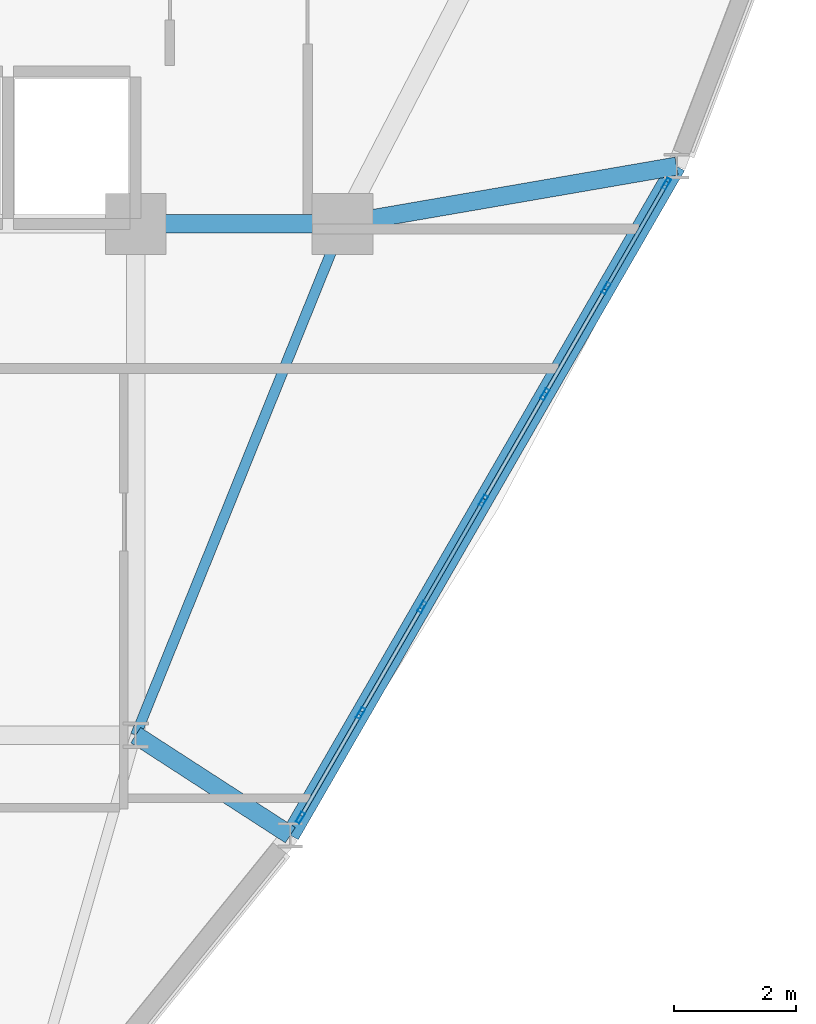
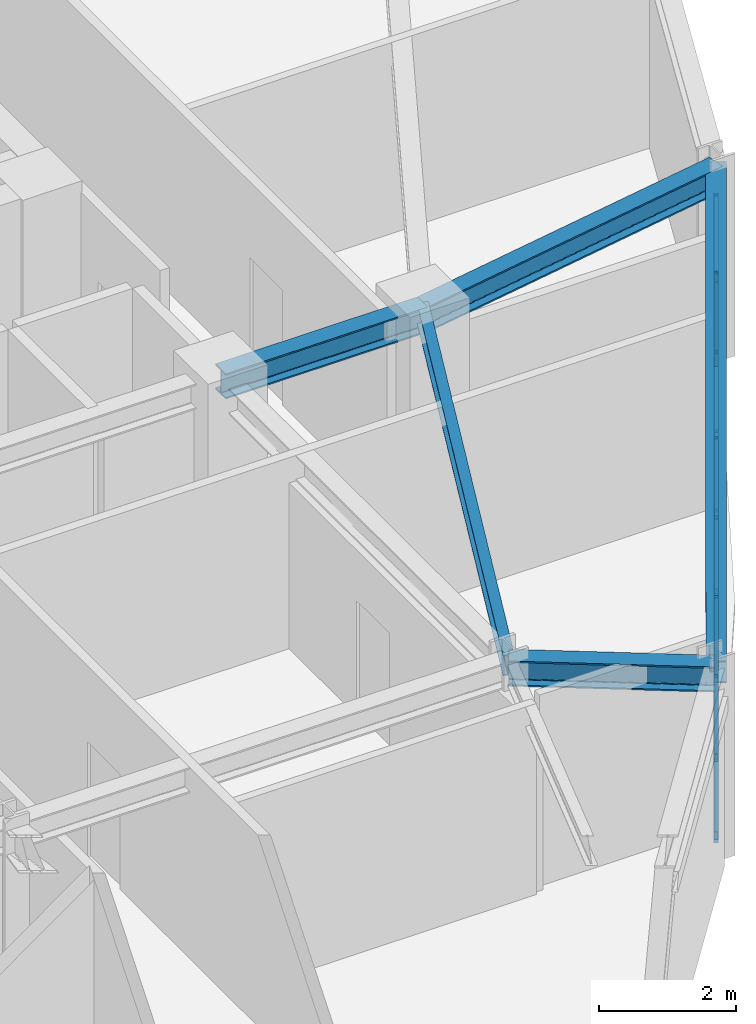
# One storey, part 6 of 14: 21 members, 5 beams, 1 element without a shape of its own.
"""IFC4 building model written with IfcOpenShell, lengths in metres."""

import ifcopenshell
import ifcopenshell.guid

model = None  # the IFC model being written
_history = None  # IfcOwnerHistory: only IFC2X3 demands one
_inside = {}  # id of a spatial element -> (the spatial element, [elements in it])
_under = {}  # id of a project, library or spatial element -> (it, [spatial elements below it])
_declared = {}  # id of a project -> (the project, [libraries it declares])
_typed = {}  # id of a type object -> (the type object, [elements of that type])
_made_of = {}  # id of a material, layer set ... -> (it, [elements and type objects made of it])


def new_model(schema):
    """Start an empty IFC model of exactly this schema.

    Asked for "IFC4X3", IfcOpenShell would pick the latest addendum, in which some entities
    have other attributes; the version numbers below select the first issue.
    IFC2X3 requires an IfcOwnerHistory on every rooted entity: one is made here for all.
    """
    global model, _history
    if schema == "IFC4X3":
        model = ifcopenshell.file(schema_version=(4, 3, 0, 0))
    else:
        model = ifcopenshell.file(schema=schema)
    _inside.clear()
    _under.clear()
    _declared.clear()
    _typed.clear()
    _made_of.clear()
    _history = None
    if model.schema == "IFC2X3":
        org = make("IfcOrganization", Name="unknown")
        user = make(
            "IfcPersonAndOrganization",
            ThePerson=make("IfcPerson", FamilyName="unknown"),
            TheOrganization=org,
        )
        app = make(
            "IfcApplication",
            ApplicationDeveloper=org,
            Version="unknown",
            ApplicationFullName="unknown",
            ApplicationIdentifier="unknown",
        )
        _history = make(
            "IfcOwnerHistory",
            OwningUser=user,
            OwningApplication=app,
            ChangeAction="ADDED",
            CreationDate=0,
        )
    return model


def make(cls, **values):
    """One entity of the class cls with the attributes given. An attribute that is None is left unset."""
    return model.create_entity(
        cls, **{name: value for name, value in values.items() if value is not None}
    )


def rooted(cls, **values):
    """An entity with a GlobalId (a new one), such as an element, a storey or a relation."""
    return make(cls, GlobalId=ifcopenshell.guid.new(), OwnerHistory=_history, **values)


def si_unit(unit_type, name, prefix=None):
    """IfcSIUnit, for example si_unit("LENGTHUNIT", "METRE", prefix="MILLI")."""
    return make("IfcSIUnit", UnitType=unit_type, Prefix=prefix, Name=name)


def derived_unit(unit_type, elements):
    """IfcDerivedUnit: a product of units, each with its exponent."""
    return make(
        "IfcDerivedUnit",
        Elements=[
            make("IfcDerivedUnitElement", Unit=unit, Exponent=power)
            for unit, power in elements
        ],
        UnitType=unit_type,
    )


def assignment(units):
    """IfcUnitAssignment: the units of a project."""
    return None if units is None else make("IfcUnitAssignment", Units=units)


def point(xyz):
    """IfcCartesianPoint."""
    return None if xyz is None else make("IfcCartesianPoint", Coordinates=xyz)


def direction(xyz):
    """IfcDirection."""
    return None if xyz is None else make("IfcDirection", DirectionRatios=xyz)


def frame(location, z_axis=None, x_axis=None):
    """IfcAxis2Placement3D, a coordinate frame: its origin and axes. An axis left out is left unset."""
    return make(
        "IfcAxis2Placement3D",
        Location=point(location),
        Axis=direction(z_axis),
        RefDirection=direction(x_axis),
    )


def frame_2d(location, x_axis=None):
    """IfcAxis2Placement2D, a coordinate frame in the plane: its origin and x axis."""
    return make(
        "IfcAxis2Placement2D", Location=point(location), RefDirection=direction(x_axis)
    )


def origin():
    """The frame at (0, 0, 0) with its axes left unset."""
    return frame((0.0, 0.0, 0.0))


def origin_2d():
    """The frame at (0, 0) in the plane with its x axis left unset."""
    return frame_2d((0.0, 0.0))


def place(relative_to, where):
    """IfcLocalPlacement: puts the frame where relative to a parent placement (None: the world)."""
    return make(
        "IfcLocalPlacement", PlacementRelTo=relative_to, RelativePlacement=where
    )


def context(
    kind, dimensions, precision=None, world=None, true_north=None, identifier=None
):
    """IfcGeometricRepresentationContext, for example the 3D "Model" context."""
    return make(
        "IfcGeometricRepresentationContext",
        ContextIdentifier=identifier,
        ContextType=kind,
        CoordinateSpaceDimension=dimensions,
        Precision=precision,
        WorldCoordinateSystem=world,
        TrueNorth=true_north,
    )


def subcontext(parent, identifier, kind, view, scale=None):
    """IfcGeometricRepresentationSubContext, for example "Body" below "Model"."""
    return make(
        "IfcGeometricRepresentationSubContext",
        ContextIdentifier=identifier,
        ContextType=kind,
        ParentContext=parent,
        TargetScale=scale,
        TargetView=view,
    )


def project(units=None, contexts=None):
    """IfcProject with its units and contexts."""
    return rooted(
        "IfcProject",
        Name="project",
        RepresentationContexts=contexts,
        UnitsInContext=assignment(units),
    )


def spatial(cls, under=None, at=None, **own):
    """A site, building, storey or space (cls), placed at a placement, below another one or the project."""
    s = rooted(cls, ObjectPlacement=at, **own)
    if under is not None:
        _under.setdefault(under.id(), (under, []))[1].append(s)
    return s


def profile(cls, at=None, kind="AREA", **sizes):
    """A parametric profile (cls). Its sizes go by their IFC names, for example OverallWidth=200.0."""
    return make(cls, ProfileType=kind, Position=at, **sizes)


def hollow_rectangle(**sizes):
    """IfcRectangleHollowProfileDef."""
    return profile("IfcRectangleHollowProfileDef", **sizes)


def i_section(**sizes):
    """IfcIShapeProfileDef."""
    return profile("IfcIShapeProfileDef", **sizes)


def extrude(swept, where, along, depth):
    """IfcExtrudedAreaSolid: the profile swept, set in the frame where, extruded along a direction by depth."""
    return make(
        "IfcExtrudedAreaSolid",
        SweptArea=swept,
        Position=where,
        ExtrudedDirection=direction(along),
        Depth=depth,
    )


def shape(context_of_items, identifier, shape_type, items):
    """IfcShapeRepresentation: the items that make up one representation, for example the "Body"."""
    return make(
        "IfcShapeRepresentation",
        ContextOfItems=context_of_items,
        RepresentationIdentifier=identifier,
        RepresentationType=shape_type,
        Items=items,
    )


def source(mapping_origin, context_of_items, identifier, shape_type, items):
    """IfcRepresentationMap: a shape defined once, which mapped items show again and again."""
    return make(
        "IfcRepresentationMap",
        MappingOrigin=mapping_origin,
        MappedRepresentation=shape(context_of_items, identifier, shape_type, items),
    )


def transform(
    local_origin,
    x_axis=None,
    y_axis=None,
    z_axis=None,
    scale=None,
    scale2=None,
    scale3=None,
    uniform=True,
):
    """IfcCartesianTransformationOperator3D, or its non-uniform kind. x_axis, y_axis, z_axis: its Axis1, 2, 3."""
    if uniform:
        return make(
            "IfcCartesianTransformationOperator3D",
            Axis1=direction(x_axis),
            Axis2=direction(y_axis),
            LocalOrigin=point(local_origin),
            Scale=scale,
            Axis3=direction(z_axis),
        )
    return make(
        "IfcCartesianTransformationOperator3DnonUniform",
        Axis1=direction(x_axis),
        Axis2=direction(y_axis),
        LocalOrigin=point(local_origin),
        Scale=scale,
        Axis3=direction(z_axis),
        Scale2=scale2,
        Scale3=scale3,
    )


def mapped(mapping_source, mapping_target):
    """IfcMappedItem: shows the shape of a source again, moved by a transform."""
    return make(
        "IfcMappedItem", MappingSource=mapping_source, MappingTarget=mapping_target
    )


def material(Name=None, Category=None):
    """IfcMaterial."""
    return make("IfcMaterial", Name=Name, Category=Category)


def layer(
    of_material, thickness, ventilated=None, Name=None, Category=None, Priority=None
):
    """IfcMaterialLayer: one layer of a wall or slab, of a material (None: an air gap)."""
    return make(
        "IfcMaterialLayer",
        Material=of_material,
        LayerThickness=thickness,
        IsVentilated=ventilated,
        Name=Name,
        Category=Category,
        Priority=Priority,
    )


def layer_set(layers, Name=None):
    """IfcMaterialLayerSet."""
    return make("IfcMaterialLayerSet", MaterialLayers=layers, LayerSetName=Name)


def material_profile(
    of_material, cross_section, Name=None, Category=None, Priority=None
):
    """IfcMaterialProfile: a cross section and its material."""
    return make(
        "IfcMaterialProfile",
        Name=Name,
        Material=of_material,
        Profile=cross_section,
        Priority=Priority,
        Category=Category,
    )


def profile_set(profiles, Name=None, composite=None):
    """IfcMaterialProfileSet."""
    return make(
        "IfcMaterialProfileSet",
        Name=Name,
        MaterialProfiles=profiles,
        CompositeProfile=composite,
    )


def made_of(thing, what):
    """Note that an element or type object is made of a material, layer set ...; save() writes the relation."""
    if what is not None:
        _made_of.setdefault(what.id(), (what, []))[1].append(thing)
    return thing


def type_object(cls, material=None, **own):
    """A type object (cls), such as IfcWallType, which elements share."""
    return made_of(rooted(cls, **own), material)


def element(
    cls,
    number,
    at=None,
    inside=None,
    cuts=None,
    type_object=None,
    material=None,
    context=None,
    identifier="Body",
    shape_type=None,
    held_by="IfcProductDefinitionShape",
    body=None,
    shapes=None,
    **own,
):
    """One element of the class cls, such as IfcWall. Its Tag is "e" and its number.

    at: its placement. inside: the storey or other place that contains it. cuts: it is an
    opening in that element (IfcRelVoidsElement). A single representation is given by context,
    identifier, shape_type and body (its items); several are given by shapes. held_by: the class
    of the entity that holds the representations. save() writes the other relations.
    """
    e = rooted(cls, Tag="e%d" % number, ObjectPlacement=at, **own)
    if body is not None:
        shapes = [shape(context, identifier, shape_type, body)]
    if shapes is not None:
        e.Representation = make(held_by, Representations=shapes)
    if inside is not None:
        _inside.setdefault(inside.id(), (inside, []))[1].append(e)
    if cuts is not None:
        rooted(
            "IfcRelVoidsElement", RelatingBuildingElement=cuts, RelatedOpeningElement=e
        )
    if type_object is not None:
        _typed.setdefault(type_object.id(), (type_object, []))[1].append(e)
    return made_of(e, material)


def aggregate(whole, parts):
    """IfcRelAggregates: a whole, such as a stair, and the parts it consists of."""
    return rooted("IfcRelAggregates", RelatingObject=whole, RelatedObjects=parts)


def save(model, path):
    """Write the relations noted so far, then the file.

    IfcRelAggregates (storeys below a building ...), IfcRelContainedInSpatialStructure (elements
    in a storey), IfcRelDefinesByType, IfcRelAssociatesMaterial and IfcRelDeclares: one each for
    every whole, place, type object, material and project.
    """
    for whole, parts in _under.values():
        aggregate(whole, parts)
    for where, things in _inside.values():
        rooted(
            "IfcRelContainedInSpatialStructure",
            RelatedElements=things,
            RelatingStructure=where,
        )
    for kind, things in _typed.values():
        rooted("IfcRelDefinesByType", RelatedObjects=things, RelatingType=kind)
    for what, things in _made_of.values():
        rooted("IfcRelAssociatesMaterial", RelatedObjects=things, RelatingMaterial=what)
    for by, libraries in _declared.values():
        rooted("IfcRelDeclares", RelatingContext=by, RelatedDefinitions=libraries)
    model.write(path)


model = new_model("IFC4")

# Units and contexts
model_context = context("Model", 3, precision=1e-05, world=origin(), true_north=direction((0.0, 1.0)))
body_context = subcontext(model_context, "Body", "Model", "MODEL_VIEW")
ifc_project = project(units=[si_unit("LENGTHUNIT", "METRE"), si_unit("AREAUNIT", "SQUARE_METRE"), si_unit("VOLUMEUNIT", "CUBIC_METRE"), si_unit("PLANEANGLEUNIT", "RADIAN"), si_unit("MASSUNIT", "GRAM", prefix="KILO"), derived_unit("THERMALTRANSMITTANCEUNIT", [(si_unit("POWERUNIT", "WATT"), 1), (si_unit("LENGTHUNIT", "METRE"), -2), (si_unit("THERMODYNAMICTEMPERATUREUNIT", "KELVIN"), -1)])], contexts=[model_context])

# Site, building, storey
site_placement = place(None, origin())
site = spatial("IfcSite", under=ifc_project, at=site_placement, CompositionType="ELEMENT")
building_placement = place(site_placement, origin())
building = spatial("IfcBuilding", under=site, at=building_placement, Name="Korsvarv Bourse and Concert Hall", CompositionType="ELEMENT")
storey_placement = place(building_placement, frame((0.0, 0.0, 172.199951171875)))
storey = spatial("IfcBuildingStorey", under=building, at=storey_placement, Name="L44", CompositionType="ELEMENT", Elevation=172.199951171875)

# Beams
ifc_material_1 = material(Name="Steel S355", Category="steel")
ifc_material_profile_1 = material_profile(ifc_material_1, i_section(OverallWidth=0.169921875, OverallDepth=0.360107421875, WebThickness=0.008056640625, FlangeThickness=0.0126953125, FilletRadius=0.01806640625, at=origin_2d()), Name="IPE 360")
ifc_profile_set_1 = profile_set([ifc_material_profile_1], Name="Steel S355")
beam_type_1 = type_object("IfcBeamType", Name="BM-IPE360", PredefinedType="JOIST", material=ifc_profile_set_1)
shared_shape_1 = source(origin(), body_context, "Body", "SweptSolid", [
    extrude(i_section(OverallWidth=0.169921875, OverallDepth=0.360107421875, WebThickness=0.008056640625, FlangeThickness=0.0126953125, FilletRadius=0.01806640625, at=origin_2d()), origin(), (0.0, 0.0, 1.0), 9.06201171875),
])
beam_1_placement = place(storey_placement, frame((47.800048828125, 32.39990234375, 3.219970703125), z_axis=(-0.375210394783, -0.926939674222, 0.0), x_axis=(0.926939674222, -0.375210394783, 0.0)))
element("IfcBeam", 1, at=beam_1_placement, inside=storey, type_object=beam_type_1, Name="L44 beam J-06", PredefinedType="JOIST", context=body_context, shape_type="MappedRepresentation", body=[
    mapped(shared_shape_1, transform((0.0, 0.0, 0.0), scale=1.0)),
])
ifc_material_profile_2 = material_profile(ifc_material_1, i_section(OverallWidth=0.300048828125, OverallDepth=0.449951171875, WebThickness=0.013916015625, FlangeThickness=0.02587890625, FilletRadius=0.02099609375, at=origin_2d()), Name="HEB 450")
ifc_profile_set_2 = profile_set([ifc_material_profile_2], Name="Steel S355")
beam_type_2 = type_object("IfcBeamType", Name="BM-HEB450", PredefinedType="SPANDREL", material=ifc_profile_set_2)
shared_shape_2 = source(origin(), body_context, "Body", "SweptSolid", [
    extrude(i_section(OverallWidth=0.300048828125, OverallDepth=0.449951171875, WebThickness=0.013916015625, FlangeThickness=0.02587890625, FilletRadius=0.02099609375, at=origin_2d()), origin(), (0.0, 0.0, 1.0), 3.400146484375),
])
beam_2_placement = place(storey_placement, frame((44.39990234375, 32.39990234375, 3.175048828125), z_axis=(1.0, 0.0, 0.0), x_axis=(0.0, 1.0, 0.0)))
element("IfcBeam", 2, at=beam_2_placement, inside=storey, type_object=beam_type_2, Name="L44 beam B-08", PredefinedType="SPANDREL", context=body_context, shape_type="MappedRepresentation", body=[
    mapped(shared_shape_2, transform((0.0, 0.0, 0.0), scale=1.0)),
])
shared_shape_3 = source(origin(), body_context, "Body", "SweptSolid", [
    extrude(i_section(OverallWidth=0.300048828125, OverallDepth=0.449951171875, WebThickness=0.013916015625, FlangeThickness=0.02587890625, FilletRadius=0.02099609375, at=origin_2d()), origin(), (0.0, 0.0, 1.0), 5.56689453125),
])
beam_3_placement = place(storey_placement, frame((53.28564453125, 33.347900390625, 3.175048828125), z_axis=(-0.985393700019, -0.170291679077, 0.0), x_axis=(0.170291679077, -0.985393700019, 0.0)))
element("IfcBeam", 3, at=beam_3_placement, inside=storey, type_object=beam_type_2, Name="L44 beam B-08", PredefinedType="SPANDREL", context=body_context, shape_type="MappedRepresentation", body=[
    mapped(shared_shape_3, transform((0.0, 0.0, 0.0), scale=1.0)),
])
shared_shape_4 = source(origin(), body_context, "Body", "SweptSolid", [
    extrude(i_section(OverallWidth=0.300048828125, OverallDepth=0.449951171875, WebThickness=0.013916015625, FlangeThickness=0.02587890625, FilletRadius=0.02099609375, at=origin_2d()), origin(), (0.0, 0.0, 1.0), 3.025390625),
])
beam_4_placement = place(storey_placement, frame((46.939697265625, 22.356201171875, 3.175048828125), z_axis=(-0.839509529418, 0.543344964104, 0.0), x_axis=(-0.543344964104, -0.839509529418, 0.0)))
element("IfcBeam", 4, at=beam_4_placement, inside=storey, type_object=beam_type_2, Name="L44 beam B-08", PredefinedType="SPANDREL", context=body_context, shape_type="MappedRepresentation", body=[
    mapped(shared_shape_4, transform((0.0, 0.0, 0.0), scale=1.0)),
])
ifc_material_profile_3 = material_profile(ifc_material_1, i_section(OverallWidth=0.300048828125, OverallDepth=0.389892578125, WebThickness=0.010986328125, FlangeThickness=0.01904296875, FilletRadius=0.02099609375, at=origin_2d()), Name="HEA 400")
ifc_profile_set_3 = profile_set([ifc_material_profile_3], Name="Steel S355")
beam_type_3 = type_object("IfcBeamType", Name="BM-HEA400", PredefinedType="BEAM", material=ifc_profile_set_3)
shared_shape_5 = source(origin(), body_context, "Body", "SweptSolid", [
    extrude(i_section(OverallWidth=0.300048828125, OverallDepth=0.389892578125, WebThickness=0.010986328125, FlangeThickness=0.01904296875, FilletRadius=0.02099609375, at=origin_2d()), origin(), (0.0, 0.0, 1.0), 12.692138671875),
])
beam_5_placement = place(storey_placement, frame((46.939697265625, 22.356201171875, 3.205078125), z_axis=(0.499993308569, 0.866029267049, 0.0), x_axis=(-0.866029267049, 0.499993308569, 0.0)))
element("IfcBeam", 5, at=beam_5_placement, inside=storey, type_object=beam_type_3, Name="L44 beam B-11", PredefinedType="BEAM", context=body_context, shape_type="MappedRepresentation", body=[
    mapped(shared_shape_5, transform((0.0, 0.0, 0.0), scale=1.0)),
])

# Curtain wall, members
ifc_material_2 = material(Name="Anodised aluminium and triple low-E glazing", Category="glass")
ifc_layer = layer(ifc_material_2, 0.199951171875)
ifc_layer_set = layer_set([ifc_layer], Name="Anodised aluminium and triple low-E glazing")
curtain_wall_type = type_object("IfcCurtainWallType", Name="CW-SYS-3", PredefinedType="NOTDEFINED", material=ifc_layer_set)
curtain_wall_placement = place(storey_placement, origin())
curtain_wall = element("IfcCurtainWall", 6, at=curtain_wall_placement, inside=storey, type_object=curtain_wall_type, Name="L44 CW3 curtain wall CW-L44-F11", PredefinedType="NOTDEFINED")
ifc_material_3 = material(Name="Extruded aluminium EN AW-6063 T66", Category="aluminium")
ifc_material_profile_4 = material_profile(ifc_material_3, hollow_rectangle(XDim=0.070068359375, YDim=0.18994140625, WallThickness=0.0048828125, at=origin_2d()), Name="ALU-M 70x190")
ifc_profile_set_4 = profile_set([ifc_material_profile_4], Name="Extruded aluminium EN AW-6063 T66")
member_type_1 = type_object("IfcMemberType", Name="CWM-190", PredefinedType="MULLION", material=ifc_profile_set_4)
shared_shape_6 = source(origin(), body_context, "Body", "SweptSolid", [
    extrude(hollow_rectangle(XDim=0.070068359375, YDim=0.18994140625, WallThickness=0.0048828125, at=origin_2d()), origin(), (0.0, 0.0, 1.0), 3.010009765625),
])
member_1_placement = place(storey_placement, frame((47.106201171875, 22.64453125, 0.0), z_axis=(0.0, 0.0, 1.0), x_axis=(-0.866028642731, 0.499994389938, 0.0)))
member_1 = element("IfcMember", 7, at=member_1_placement, type_object=member_type_1, Name="CW3 mullion 1", PredefinedType="MULLION", context=body_context, shape_type="MappedRepresentation", body=[
    mapped(shared_shape_6, transform((0.0, 0.0, 0.0), scale=1.0)),
])
member_2_placement = place(storey_placement, frame((48.0966796875, 24.3603515625, 0.0), z_axis=(0.0, 0.0, 1.0), x_axis=(-0.866028642731, 0.499994389938, 0.0)))
member_2 = element("IfcMember", 8, at=member_2_placement, type_object=member_type_1, Name="CW3 mullion 2", PredefinedType="MULLION", context=body_context, shape_type="MappedRepresentation", body=[
    mapped(shared_shape_6, transform((0.0, 0.0, 0.0), scale=1.0)),
])
member_3_placement = place(storey_placement, frame((49.1044921875, 26.106201171875, 0.0), z_axis=(0.0, 0.0, 1.0), x_axis=(-0.866028642731, 0.499994389938, 0.0)))
member_3 = element("IfcMember", 9, at=member_3_placement, type_object=member_type_1, Name="CW3 mullion 3", PredefinedType="MULLION", context=body_context, shape_type="MappedRepresentation", body=[
    mapped(shared_shape_6, transform((0.0, 0.0, 0.0), scale=1.0)),
])
member_4_placement = place(storey_placement, frame((50.112548828125, 27.85205078125, 0.0), z_axis=(0.0, 0.0, 1.0), x_axis=(-0.866028642731, 0.499994389938, 0.0)))
member_4 = element("IfcMember", 10, at=member_4_placement, type_object=member_type_1, Name="CW3 mullion 4", PredefinedType="MULLION", context=body_context, shape_type="MappedRepresentation", body=[
    mapped(shared_shape_6, transform((0.0, 0.0, 0.0), scale=1.0)),
])
member_5_placement = place(storey_placement, frame((51.12060546875, 29.59814453125, 0.0), z_axis=(0.0, 0.0, 1.0), x_axis=(-0.866028642731, 0.499994389938, 0.0)))
member_5 = element("IfcMember", 11, at=member_5_placement, type_object=member_type_1, Name="CW3 mullion 5", PredefinedType="MULLION", context=body_context, shape_type="MappedRepresentation", body=[
    mapped(shared_shape_6, transform((0.0, 0.0, 0.0), scale=1.0)),
])
member_6_placement = place(storey_placement, frame((52.128662109375, 31.343994140625, 0.0), z_axis=(0.0, 0.0, 1.0), x_axis=(-0.866028642731, 0.499994389938, 0.0)))
member_6 = element("IfcMember", 12, at=member_6_placement, type_object=member_type_1, Name="CW3 mullion 6", PredefinedType="MULLION", context=body_context, shape_type="MappedRepresentation", body=[
    mapped(shared_shape_6, transform((0.0, 0.0, 0.0), scale=1.0)),
])
member_7_placement = place(storey_placement, frame((53.119140625, 33.0595703125, 0.0), z_axis=(0.0, 0.0, 1.0), x_axis=(-0.866028642731, 0.499994389938, 0.0)))
member_7 = element("IfcMember", 13, at=member_7_placement, type_object=member_type_1, Name="CW3 mullion 7", PredefinedType="MULLION", context=body_context, shape_type="MappedRepresentation", body=[
    mapped(shared_shape_6, transform((0.0, 0.0, 0.0), scale=1.0)),
])
ifc_material_profile_5 = material_profile(ifc_material_3, hollow_rectangle(XDim=0.06494140625, YDim=0.139892578125, WallThickness=0.00390625, at=origin_2d()), Name="ALU-T 65x140")
ifc_profile_set_5 = profile_set([ifc_material_profile_5], Name="Extruded aluminium EN AW-6063 T66")
member_type_2 = type_object("IfcMemberType", Name="CWT-140", PredefinedType="USERDEFINED", material=ifc_profile_set_5)
shared_shape_7 = source(origin(), body_context, "Body", "SweptSolid", [
    extrude(hollow_rectangle(XDim=0.06494140625, YDim=0.139892578125, WallThickness=0.00390625, at=origin_2d()), origin(), (0.0, 0.0, 1.0), 1.9111328125),
])
member_8_placement = place(storey_placement, frame((47.12353515625, 22.6748046875, 0.032470703125), z_axis=(0.500013655634, 0.866017519557, 0.0), x_axis=(-0.866017519557, 0.500013655634, 0.0)))
member_8 = element("IfcMember", 14, at=member_8_placement, type_object=member_type_2, Name="CW3 transom 1.1", ObjectType="TRANSOM", PredefinedType="USERDEFINED", context=body_context, shape_type="MappedRepresentation", body=[
    mapped(shared_shape_7, transform((0.0, 0.0, 0.0), scale=1.0)),
])
member_9_placement = place(storey_placement, frame((47.12353515625, 22.6748046875, 2.9775390625), z_axis=(0.500013655634, 0.866017519557, 0.0), x_axis=(-0.866017519557, 0.500013655634, 0.0)))
member_9 = element("IfcMember", 15, at=member_9_placement, type_object=member_type_2, Name="CW3 transom 1.2", ObjectType="TRANSOM", PredefinedType="USERDEFINED", context=body_context, shape_type="MappedRepresentation", body=[
    mapped(shared_shape_7, transform((0.0, 0.0, 0.0), scale=1.0)),
])
member_10_placement = place(storey_placement, frame((52.14599609375, 31.374267578125, 0.032470703125), z_axis=(0.500013655634, 0.866017519557, 0.0), x_axis=(-0.866017519557, 0.500013655634, 0.0)))
member_10 = element("IfcMember", 16, at=member_10_placement, type_object=member_type_2, Name="CW3 transom 6.1", ObjectType="TRANSOM", PredefinedType="USERDEFINED", context=body_context, shape_type="MappedRepresentation", body=[
    mapped(shared_shape_7, transform((0.0, 0.0, 0.0), scale=1.0)),
])
member_11_placement = place(storey_placement, frame((52.14599609375, 31.374267578125, 2.9775390625), z_axis=(0.500013655634, 0.866017519557, 0.0), x_axis=(-0.866017519557, 0.500013655634, 0.0)))
member_11 = element("IfcMember", 17, at=member_11_placement, type_object=member_type_2, Name="CW3 transom 6.2", ObjectType="TRANSOM", PredefinedType="USERDEFINED", context=body_context, shape_type="MappedRepresentation", body=[
    mapped(shared_shape_7, transform((0.0, 0.0, 0.0), scale=1.0)),
])
shared_shape_8 = source(origin(), body_context, "Body", "SweptSolid", [
    extrude(hollow_rectangle(XDim=0.06494140625, YDim=0.139892578125, WallThickness=0.00390625, at=origin_2d()), origin(), (0.0, 0.0, 1.0), 1.946044921875),
])
member_12_placement = place(storey_placement, frame((48.114013671875, 24.390625, 0.032470703125), z_axis=(0.500051850797, 0.865995465643, 0.0), x_axis=(-0.865995465643, 0.500051850797, 0.0)))
member_12 = element("IfcMember", 18, at=member_12_placement, type_object=member_type_2, Name="CW3 transom 2.1", ObjectType="TRANSOM", PredefinedType="USERDEFINED", context=body_context, shape_type="MappedRepresentation", body=[
    mapped(shared_shape_8, transform((0.0, 0.0, 0.0), scale=1.0)),
])
member_13_placement = place(storey_placement, frame((48.114013671875, 24.390625, 2.9775390625), z_axis=(0.500051850797, 0.865995465643, 0.0), x_axis=(-0.865995465643, 0.500051850797, 0.0)))
member_13 = element("IfcMember", 19, at=member_13_placement, type_object=member_type_2, Name="CW3 transom 2.2", ObjectType="TRANSOM", PredefinedType="USERDEFINED", context=body_context, shape_type="MappedRepresentation", body=[
    mapped(shared_shape_8, transform((0.0, 0.0, 0.0), scale=1.0)),
])
member_14_placement = place(storey_placement, frame((49.1220703125, 26.136474609375, 0.032470703125), z_axis=(0.500051850797, 0.865995465643, 0.0), x_axis=(-0.865995465643, 0.500051850797, 0.0)))
member_14 = element("IfcMember", 20, at=member_14_placement, type_object=member_type_2, Name="CW3 transom 3.1", ObjectType="TRANSOM", PredefinedType="USERDEFINED", context=body_context, shape_type="MappedRepresentation", body=[
    mapped(shared_shape_8, transform((0.0, 0.0, 0.0), scale=1.0)),
])
member_15_placement = place(storey_placement, frame((49.1220703125, 26.136474609375, 2.9775390625), z_axis=(0.500051850797, 0.865995465643, 0.0), x_axis=(-0.865995465643, 0.500051850797, 0.0)))
member_15 = element("IfcMember", 21, at=member_15_placement, type_object=member_type_2, Name="CW3 transom 3.2", ObjectType="TRANSOM", PredefinedType="USERDEFINED", context=body_context, shape_type="MappedRepresentation", body=[
    mapped(shared_shape_8, transform((0.0, 0.0, 0.0), scale=1.0)),
])
member_16_placement = place(storey_placement, frame((50.130126953125, 27.88232421875, 0.032470703125), z_axis=(0.499957759415, 0.866049790024, 0.0), x_axis=(-0.866049790024, 0.499957759415, 0.0)))
member_16 = element("IfcMember", 22, at=member_16_placement, type_object=member_type_2, Name="CW3 transom 4.1", ObjectType="TRANSOM", PredefinedType="USERDEFINED", context=body_context, shape_type="MappedRepresentation", body=[
    mapped(shared_shape_8, transform((0.0, 0.0, 0.0), scale=1.0)),
])
member_17_placement = place(storey_placement, frame((50.130126953125, 27.88232421875, 2.9775390625), z_axis=(0.499957759415, 0.866049790024, 0.0), x_axis=(-0.866049790024, 0.499957759415, 0.0)))
member_17 = element("IfcMember", 23, at=member_17_placement, type_object=member_type_2, Name="CW3 transom 4.2", ObjectType="TRANSOM", PredefinedType="USERDEFINED", context=body_context, shape_type="MappedRepresentation", body=[
    mapped(shared_shape_8, transform((0.0, 0.0, 0.0), scale=1.0)),
])
member_18_placement = place(storey_placement, frame((51.13818359375, 29.62841796875, 0.032470703125), z_axis=(0.499957759415, 0.866049790024, 0.0), x_axis=(-0.866049790024, 0.499957759415, 0.0)))
member_18 = element("IfcMember", 24, at=member_18_placement, type_object=member_type_2, Name="CW3 transom 5.1", ObjectType="TRANSOM", PredefinedType="USERDEFINED", context=body_context, shape_type="MappedRepresentation", body=[
    mapped(shared_shape_8, transform((0.0, 0.0, 0.0), scale=1.0)),
])
member_19_placement = place(storey_placement, frame((51.13818359375, 29.62841796875, 2.9775390625), z_axis=(0.499957759415, 0.866049790024, 0.0), x_axis=(-0.866049790024, 0.499957759415, 0.0)))
member_19 = element("IfcMember", 25, at=member_19_placement, type_object=member_type_2, Name="CW3 transom 5.2", ObjectType="TRANSOM", PredefinedType="USERDEFINED", context=body_context, shape_type="MappedRepresentation", body=[
    mapped(shared_shape_8, transform((0.0, 0.0, 0.0), scale=1.0)),
])
ifc_material_profile_6 = material_profile(ifc_material_3, hollow_rectangle(XDim=0.06494140625, YDim=0.1650390625, WallThickness=0.0048828125, at=origin_2d()), Name="ALU-M 65x165")
ifc_profile_set_6 = profile_set([ifc_material_profile_6], Name="Extruded aluminium EN AW-6063 T66")
member_type_3 = type_object("IfcMemberType", Name="CWM-165", PredefinedType="MULLION", material=ifc_profile_set_6)
shared_shape_9 = source(origin(), body_context, "Body", "SweptSolid", [
    extrude(hollow_rectangle(XDim=0.06494140625, YDim=0.1650390625, WallThickness=0.0048828125, at=origin_2d()), origin(), (0.0, 0.0, 1.0), 3.45654296875),
])
member_20_placement = place(storey_placement, frame((53.1015625, 33.029296875, 0.06494140625), z_axis=(-0.276455281382, -0.478817156998, 0.833250627099), x_axis=(0.866017519557, -0.500013655634, 0.0)))
member_20 = element("IfcMember", 26, at=member_20_placement, type_object=member_type_3, Name="CW3 diagonal mullion 6", PredefinedType="MULLION", context=body_context, shape_type="MappedRepresentation", body=[
    mapped(shared_shape_9, transform((0.0, 0.0, 0.0), scale=1.0)),
])
shared_shape_10 = source(origin(), body_context, "Body", "SweptSolid", [
    extrude(hollow_rectangle(XDim=0.06494140625, YDim=0.1650390625, WallThickness=0.0048828125, at=origin_2d()), origin(), (0.0, 0.0, 1.0), 3.47607421875),
])
member_21_placement = place(storey_placement, frame((49.1220703125, 26.136474609375, 0.06494140625), z_axis=(0.279963218776, 0.484843476972, 0.82858155843), x_axis=(-0.865995465643, 0.500051850797, 0.0)))
member_21 = element("IfcMember", 27, at=member_21_placement, type_object=member_type_3, Name="CW3 diagonal mullion 3", PredefinedType="MULLION", context=body_context, shape_type="MappedRepresentation", body=[
    mapped(shared_shape_10, transform((0.0, 0.0, 0.0), scale=1.0)),
])
aggregate(curtain_wall, [member_1, member_2, member_3, member_4, member_5, member_6, member_7, member_8, member_9, member_12, member_13, member_14, member_15, member_21, member_16, member_17, member_18, member_19, member_10, member_11, member_20])

save(model, "model.ifc")
